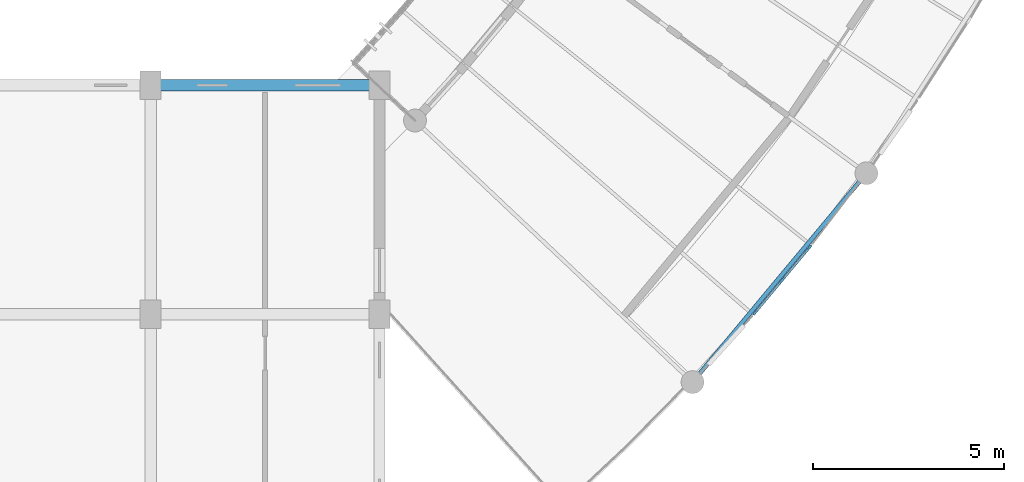
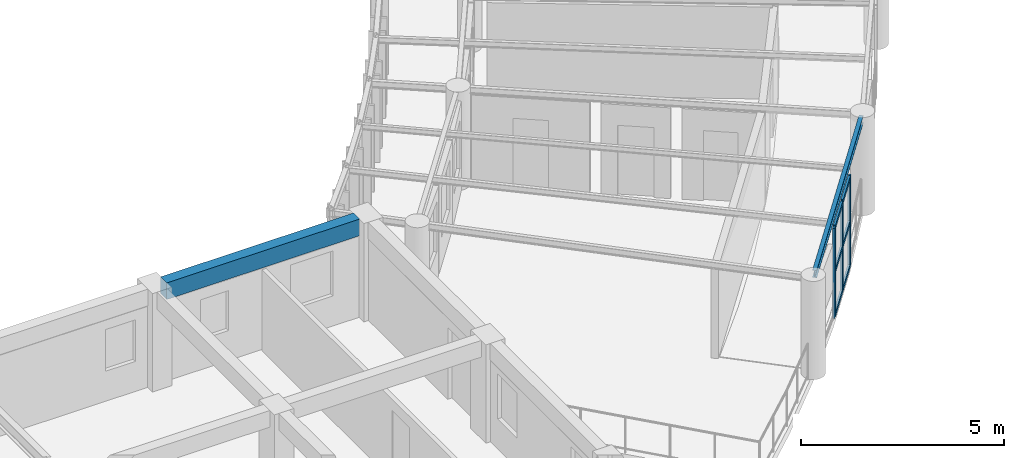
# One storey, part 11 of 100: 9 members, 2 beams, 1 element without a shape of its own.
"""IFC4 building model written with IfcOpenShell, lengths in metres."""

from ifc_helpers import new_model, si_unit, direction, frame, origin, origin_2d, place, context, subcontext, project, spatial, rectangle, i_section, extrude, material, layer, layer_set, material_profile, profile_set, type_object, element, aggregate, save


model = new_model("IFC4")

# Units and contexts
model_context = context("Model", 3, precision=1e-05, world=origin(), true_north=direction((0.0, 1.0)))
body_context = subcontext(model_context, "Body", "Model", "MODEL_VIEW")
ifc_project = project(units=[si_unit("LENGTHUNIT", "METRE"), si_unit("AREAUNIT", "SQUARE_METRE"), si_unit("VOLUMEUNIT", "CUBIC_METRE"), si_unit("PLANEANGLEUNIT", "RADIAN"), si_unit("MASSUNIT", "GRAM", prefix="KILO"), si_unit("POWERUNIT", "WATT"), si_unit("THERMODYNAMICTEMPERATUREUNIT", "KELVIN")], contexts=[model_context])

# Site, building, storey
site_placement = place(None, origin())
site = spatial("IfcSite", under=ifc_project, at=site_placement, CompositionType="ELEMENT")
building_placement = place(site_placement, origin())
building = spatial("IfcBuilding", under=site, at=building_placement, Name="Ruvembo Vaulted Housing Court", CompositionType="ELEMENT")
storey_placement = place(building_placement, frame((0.0, 0.0, 14.10009765625)))
storey = spatial("IfcBuildingStorey", under=building, at=storey_placement, Name="L04", CompositionType="ELEMENT", Elevation=14.10009765625)

# Beam
ifc_material_1 = material(Name="Steel S355J2", Category="steel")
ifc_material_profile_1 = material_profile(ifc_material_1, i_section(OverallWidth=0.110107421875, OverallDepth=0.219970703125, WebThickness=0.005859375, FlangeThickness=0.00927734375, FilletRadius=0.011962890625, at=origin_2d()), Name="IPE 220")
ifc_profile_set_1 = profile_set([ifc_material_profile_1], Name="Steel S355J2")
beam_type_1 = type_object("IfcBeamType", Name="BM-ST-IPE220", PredefinedType="SPANDREL", material=ifc_profile_set_1)
beam_1_placement = place(storey_placement, frame((44.329345703125, 34.365234375, 2.831787109375), z_axis=(0.639863961102, 0.768488198532, 0.0), x_axis=(-0.768488198532, 0.639863961102, 0.0)))
element("IfcBeam", 1, at=beam_1_placement, inside=storey, type_object=beam_type_1, Name="Scoop SC1 L04 Chord Girder B0", PredefinedType="SPANDREL", context=body_context, shape_type="SweptSolid", body=[
    extrude(i_section(OverallWidth=0.110107421875, OverallDepth=0.219970703125, WebThickness=0.005859375, FlangeThickness=0.00927734375, FilletRadius=0.011962890625, at=origin_2d()), origin(), (0.0, 0.0, 1.0), 6.745849609375),
])

# Curtain wall, members
ifc_material_2 = material(Name="Anodised Aluminium and Solar-Control Glass", Category="aluminium")
ifc_layer = layer(ifc_material_2, 0.1201171875, Name="Anodised Aluminium and Solar-Control Glass")
ifc_layer_set = layer_set([ifc_layer], Name="Anodised Aluminium and Solar-Control Glass")
curtain_wall_type = type_object("IfcCurtainWallType", Name="CW-SCOOP-GAL", PredefinedType="NOTDEFINED", material=ifc_layer_set)
curtain_wall_placement = place(storey_placement, origin())
curtain_wall = element("IfcCurtainWall", 2, at=curtain_wall_placement, inside=storey, type_object=curtain_wall_type, Name="L04 Curtain Wall CW-L04-0021", PredefinedType="NOTDEFINED")
ifc_material_3 = material(Name="Anodised Aluminium 6063-T6", Category="aluminium")
ifc_material_profile_2 = material_profile(ifc_material_3, rectangle(XDim=0.06005859375, YDim=0.159912109375, at=origin_2d()), Name="ALU 60x160")
ifc_profile_set_2 = profile_set([ifc_material_profile_2], Name="Anodised Aluminium 6063-T6")
member_type_1 = type_object("IfcMemberType", Name="CW-MULLION-65x150", PredefinedType="MULLION", material=ifc_profile_set_2)
member_1_placement = place(storey_placement, frame((45.853271484375, 36.043212890625, 0.0), z_axis=(0.0, 0.0, 1.0), x_axis=(-0.768484050303, 0.639868943167, 0.0)))
member_1 = element("IfcMember", 3, at=member_1_placement, type_object=member_type_1, Name="CW6 mullion 1", PredefinedType="MULLION", context=body_context, shape_type="SweptSolid", body=[
    extrude(rectangle(XDim=0.06005859375, YDim=0.159912109375, at=origin_2d()), origin(), (0.0, 0.0, 1.0), 2.697998046875),
])
member_2_placement = place(storey_placement, frame((46.562255859375, 36.89501953125, 0.0), z_axis=(0.0, 0.0, 1.0), x_axis=(-0.768484050303, 0.639868943167, 0.0)))
member_2 = element("IfcMember", 4, at=member_2_placement, type_object=member_type_1, Name="CW6 mullion 2", PredefinedType="MULLION", context=body_context, shape_type="SweptSolid", body=[
    extrude(rectangle(XDim=0.06005859375, YDim=0.159912109375, at=origin_2d()), origin(), (0.0, 0.0, 1.0), 2.697998046875),
])
member_3_placement = place(storey_placement, frame((47.271484375, 37.74658203125, 0.0), z_axis=(0.0, 0.0, 1.0), x_axis=(-0.768484050303, 0.639868943167, 0.0)))
member_3 = element("IfcMember", 5, at=member_3_placement, type_object=member_type_1, Name="CW6 mullion 3", PredefinedType="MULLION", context=body_context, shape_type="SweptSolid", body=[
    extrude(rectangle(XDim=0.06005859375, YDim=0.159912109375, at=origin_2d()), origin(), (0.0, 0.0, 1.0), 2.697998046875),
])
ifc_material_profile_3 = material_profile(ifc_material_3, rectangle(XDim=0.06005859375, YDim=0.1201171875, at=origin_2d()), Name="ALU 60x120")
ifc_profile_set_3 = profile_set([ifc_material_profile_3], Name="Anodised Aluminium 6063-T6")
member_type_2 = type_object("IfcMemberType", Name="CW-TRANSOM-65x120", PredefinedType="USERDEFINED", material=ifc_profile_set_3)
member_4_placement = place(storey_placement, frame((45.872314453125, 36.06640625, 0.02978515625), z_axis=(0.640024024625, 0.768354897103, 0.0), x_axis=(-0.768354897103, 0.640024024625, 0.0)))
member_4 = element("IfcMember", 6, at=member_4_placement, type_object=member_type_2, Name="CW6 transom 1.1", ObjectType="TRANSOM", PredefinedType="USERDEFINED", context=body_context, shape_type="SweptSolid", body=[
    extrude(rectangle(XDim=0.06005859375, YDim=0.1201171875, at=origin_2d()), origin(), (0.0, 0.0, 1.0), 1.04833984375),
])
member_5_placement = place(storey_placement, frame((45.872314453125, 36.06640625, 1.348876953125), z_axis=(0.640024024625, 0.768354897103, 0.0), x_axis=(-0.768354897103, 0.640024024625, 0.0)))
member_5 = element("IfcMember", 7, at=member_5_placement, type_object=member_type_2, Name="CW6 transom 1.2", ObjectType="TRANSOM", PredefinedType="USERDEFINED", context=body_context, shape_type="SweptSolid", body=[
    extrude(rectangle(XDim=0.06005859375, YDim=0.1201171875, at=origin_2d()), origin(), (0.0, 0.0, 1.0), 1.04833984375),
])
member_6_placement = place(storey_placement, frame((45.872314453125, 36.06640625, 2.66796875), z_axis=(0.640024024625, 0.768354897103, 0.0), x_axis=(-0.768354897103, 0.640024024625, 0.0)))
member_6 = element("IfcMember", 8, at=member_6_placement, type_object=member_type_2, Name="CW6 transom 1.3", ObjectType="TRANSOM", PredefinedType="USERDEFINED", context=body_context, shape_type="SweptSolid", body=[
    extrude(rectangle(XDim=0.06005859375, YDim=0.1201171875, at=origin_2d()), origin(), (0.0, 0.0, 1.0), 1.04833984375),
])
member_7_placement = place(storey_placement, frame((46.58154296875, 36.91796875, 0.02978515625), z_axis=(0.639771962699, 0.768564789555, 0.0), x_axis=(-0.768564789555, 0.639771962699, 0.0)))
member_7 = element("IfcMember", 9, at=member_7_placement, type_object=member_type_2, Name="CW6 transom 2.1", ObjectType="TRANSOM", PredefinedType="USERDEFINED", context=body_context, shape_type="SweptSolid", body=[
    extrude(rectangle(XDim=0.06005859375, YDim=0.1201171875, at=origin_2d()), origin(), (0.0, 0.0, 1.0), 1.04833984375),
])
member_8_placement = place(storey_placement, frame((46.58154296875, 36.91796875, 1.348876953125), z_axis=(0.639771962699, 0.768564789555, 0.0), x_axis=(-0.768564789555, 0.639771962699, 0.0)))
member_8 = element("IfcMember", 10, at=member_8_placement, type_object=member_type_2, Name="CW6 transom 2.2", ObjectType="TRANSOM", PredefinedType="USERDEFINED", context=body_context, shape_type="SweptSolid", body=[
    extrude(rectangle(XDim=0.06005859375, YDim=0.1201171875, at=origin_2d()), origin(), (0.0, 0.0, 1.0), 1.04833984375),
])
member_9_placement = place(storey_placement, frame((46.58154296875, 36.91796875, 2.66796875), z_axis=(0.639771962699, 0.768564789555, 0.0), x_axis=(-0.768564789555, 0.639771962699, 0.0)))
member_9 = element("IfcMember", 11, at=member_9_placement, type_object=member_type_2, Name="CW6 transom 2.3", ObjectType="TRANSOM", PredefinedType="USERDEFINED", context=body_context, shape_type="SweptSolid", body=[
    extrude(rectangle(XDim=0.06005859375, YDim=0.1201171875, at=origin_2d()), origin(), (0.0, 0.0, 1.0), 1.04833984375),
])
aggregate(curtain_wall, [member_1, member_2, member_3, member_4, member_5, member_6, member_7, member_8, member_9])

# Beam
ifc_material_4 = material(Name="Concrete C35/45", Category="concrete")
ifc_material_profile_4 = material_profile(ifc_material_4, rectangle(XDim=0.300048828125, YDim=0.5, at=origin_2d()), Name="RC 300x500")
ifc_profile_set_4 = profile_set([ifc_material_profile_4], Name="Concrete C35/45")
beam_type_2 = type_object("IfcBeamType", Name="SP-RC-300x500", PredefinedType="SPANDREL", material=ifc_profile_set_4)
beam_2_placement = place(storey_placement, frame((30.260009765625, 42.0, 2.699951171875), z_axis=(1.0, 0.0, 0.0), x_axis=(0.0, 1.0, 0.0)))
element("IfcBeam", 12, at=beam_2_placement, inside=storey, type_object=beam_type_2, Name="L04 Grid Beam X #2070", PredefinedType="SPANDREL", context=body_context, shape_type="SweptSolid", body=[
    extrude(rectangle(XDim=0.300048828125, YDim=0.5, at=origin_2d()), origin(), (0.0, 0.0, 1.0), 5.47998046875),
])

save(model, "model.ifc")
